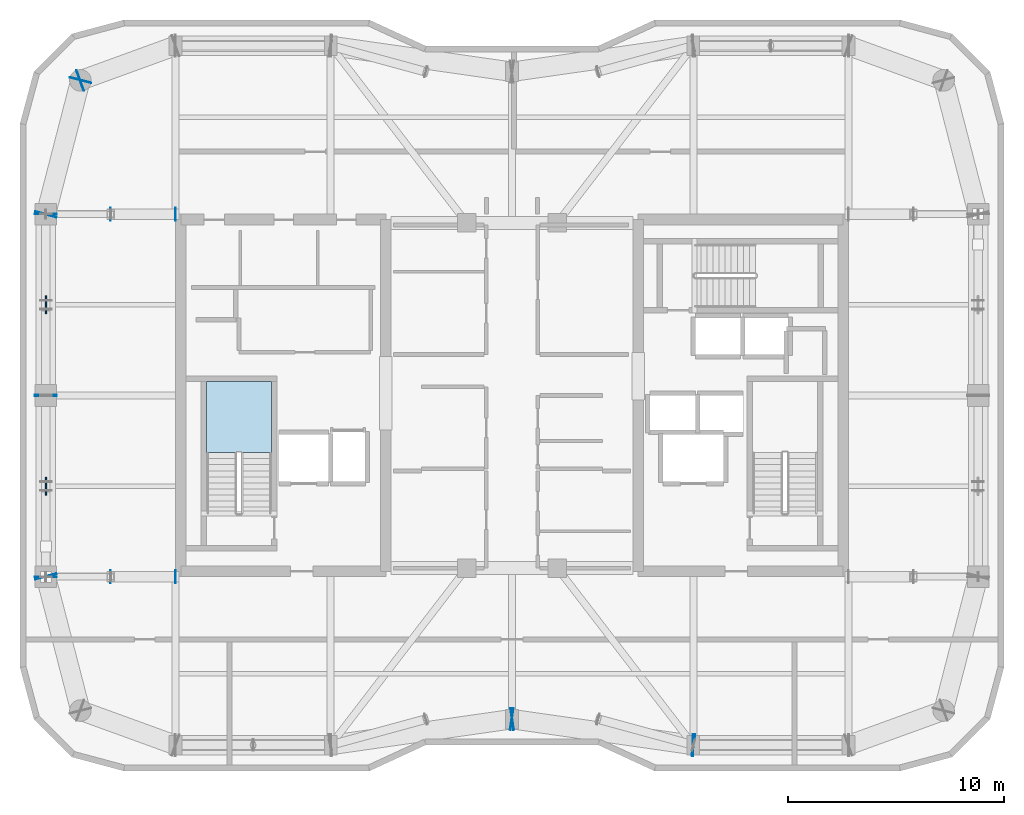
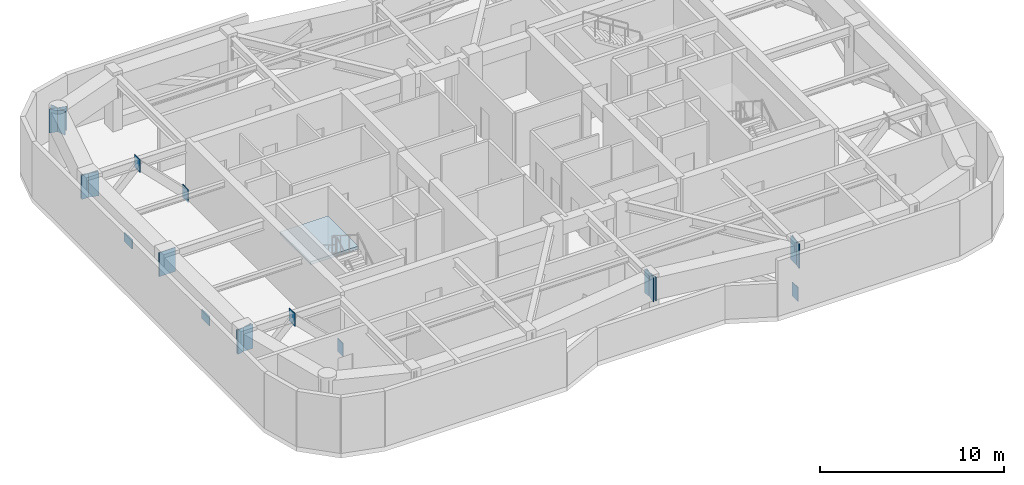
# One storey, part 3 of 11: 19 plates, 1 slab, 1 element without a shape of its own.
"""IFC4 building model written with IfcOpenShell, lengths in metres."""

from ifc_helpers import new_model, si_unit, direction, frame, origin, origin_2d, place, context, subcontext, project, spatial, polyline, rectangle, outline, extrude, material, layer, layer_set, type_object, element, aggregate, save


model = new_model("IFC4")

# Units and contexts
model_context = context("Model", 3, precision=1e-05, world=origin(), true_north=direction((0.0, 1.0)))
body_context = subcontext(model_context, "Body", "Model", "MODEL_VIEW")
ifc_project = project(units=[si_unit("LENGTHUNIT", "METRE"), si_unit("AREAUNIT", "SQUARE_METRE"), si_unit("VOLUMEUNIT", "CUBIC_METRE"), si_unit("PLANEANGLEUNIT", "RADIAN"), si_unit("MASSUNIT", "GRAM", prefix="KILO")], contexts=[model_context])

# Site, building, storey
site_placement = place(None, origin())
site = spatial("IfcSite", under=ifc_project, at=site_placement, CompositionType="ELEMENT")
building_placement = place(site_placement, origin())
building = spatial("IfcBuilding", under=site, at=building_placement, Name="Kiyonajd Concourse Tower", CompositionType="ELEMENT")
storey_placement = place(building_placement, frame((0.0, 0.0, 282.300048828125)))
storey = spatial("IfcBuildingStorey", under=building, at=storey_placement, Name="L71", CompositionType="ELEMENT", Elevation=282.300048828125)

# Plates
ifc_material_1 = material(Name="Steel ASTM A572 Grade 50", Category="steel")
ifc_layer_1 = layer(ifc_material_1, 0.031982421875)
ifc_layer_set_1 = layer_set([ifc_layer_1], Name="Steel ASTM A572 Grade 50")
plate_type_1 = type_object("IfcPlateType", Name="PL-CAP-540", PredefinedType="USERDEFINED", material=ifc_layer_set_1)
for number, where, z_axis, x_axis, name in (
    (1, (32.40771484375, 27.60009765625, -0.13330078125), (0.0, 0.0, 1.0), (1.0, 0.0, 0.0), "L71 Outrigger End Cap Plate 01"),
    (2, (29.392333984375, 27.60009765625, 2.912109375), (0.0, 0.0, 1.0), (-1.0, 0.0, 0.0), "L71 Outrigger Far End Cap Plate 01"),
    (3, (32.40771484375, 44.39990234375, -0.13330078125), (0.0, 0.0, 1.0), (1.0, 0.0, 0.0), "L71 Outrigger End Cap Plate 03"),
    (4, (29.392333984375, 44.39990234375, 2.912109375), (0.0, 0.0, 1.0), (-1.0, 0.0, 0.0), "L71 Outrigger Far End Cap Plate 03"),
):
    element("IfcPlate", number, at=place(storey_placement, frame(where, z_axis=z_axis, x_axis=x_axis)), inside=storey, type_object=plate_type_1, Name=name, ObjectType="CAP PLATE", PredefinedType="USERDEFINED", context=body_context, shape_type="SweptSolid", body=[
        extrude(rectangle(XDim=0.035888671875, YDim=0.6201171875, at=origin_2d()), origin(), (0.0, 0.0, 1.0), 0.85107421875),
    ])
plate_placement = place(storey_placement, frame((56.388916015625, 19.800048828125, -0.169921875), z_axis=(0.0, 0.0, 1.0), x_axis=(-1.0, 0.0, 0.0)))
element("IfcPlate", 5, at=plate_placement, inside=storey, type_object=plate_type_1, Name="L71 Belt Chord Cap Plate", ObjectType="CAP PLATE", PredefinedType="USERDEFINED", context=body_context, shape_type="SweptSolid", body=[
    extrude(rectangle(XDim=0.035888671875, YDim=0.6201171875, at=origin_2d()), origin(), (0.0, 0.0, 1.0), 0.93994140625),
])
for number, where, z_axis, x_axis, name in (
    (6, (26.397216796875, 27.610595703125, 2.15966796875), (0.0, 0.0, 1.0), (-0.249873048837, 0.968278606324, 0.0), "L71 Welded Box Girder End Cap"),
    (7, (48.010986328125, 21.001708984375, 2.15966796875), (0.0, 0.0, 1.0), (0.989949746297, 0.141419587774, 0.0), "L71 Welded Box Girder End Cap"),
    (8, (47.989013671875, 21.001708984375, 2.15966796875), (0.0, 0.0, 1.0), (-0.989949746297, 0.141419587774, 0.0), "L71 Welded Box Girder End Cap"),
    (9, (56.410888671875, 19.79833984375, 2.15966796875), (0.0, 0.0, 1.0), (0.989949746297, -0.141419587774, 0.0), "L71 Welded Box Girder End Cap"),
    (10, (56.388916015625, 19.800048828125, 2.15966796875), (0.0, 0.0, 1.0), (-1.0, 0.0, 0.0), "L71 Welded Box Girder End Cap"),
    (11, (27.98974609375, 50.59619140625, 2.15966796875), (0.0, 0.0, 1.0), (-0.939811951086, -0.341692107891, 0.0), "L71 Welded Box Girder End Cap"),
    (12, (28.002685546875, 50.610595703125, 2.15966796875), (0.0, 0.0, 1.0), (0.249873048837, 0.968278606324, 0.0), "L71 Welded Box Girder End Cap"),
    (13, (26.397216796875, 44.389404296875, 2.15966796875), (0.0, 0.0, 1.0), (-0.249873048837, -0.968278606324, 0.0), "L71 Welded Box Girder End Cap"),
    (14, (26.39990234375, 44.410888671875, 2.15966796875), (0.0, 0.0, 1.0), (0.0, 1.0, 0.0), "L71 Welded Box Girder End Cap"),
    (15, (26.39990234375, 35.989013671875, 2.15966796875), (0.0, 0.0, 1.0), (0.0, -1.0, 0.0), "L71 Welded Box Girder End Cap"),
    (16, (26.39990234375, 36.010986328125, 2.15966796875), (0.0, 0.0, 1.0), (0.0, 1.0, 0.0), "L71 Welded Box Girder End Cap"),
    (17, (26.39990234375, 27.589111328125, 2.15966796875), (0.0, 0.0, 1.0), (0.0, -1.0, 0.0), "L71 Welded Box Girder End Cap"),
):
    element("IfcPlate", number, at=place(storey_placement, frame(where, z_axis=z_axis, x_axis=x_axis)), inside=storey, type_object=plate_type_1, Name=name, ObjectType="CAP PLATE", PredefinedType="USERDEFINED", context=body_context, shape_type="SweptSolid", body=[
        extrude(rectangle(XDim=0.035888671875, YDim=1.02001953125, at=origin_2d()), origin(), (0.0, 0.0, 1.0), 1.590087890625),
    ])
ifc_layer_2 = layer(ifc_material_1, 0.06005859375)
ifc_layer_set_2 = layer_set([ifc_layer_2], Name="Steel ASTM A572 Grade 50")
plate_type_2 = type_object("IfcPlateType", Name="PL-XNODE-60", PredefinedType="USERDEFINED", material=ifc_layer_set_2)
for number, where, z_axis, x_axis, name in (
    (18, (26.39990234375, 31.800048828125, 1.514892578125), (0.0, 0.0, 1.0), (1.0, 0.0, 0.0), "L71 Belt Truss X Brace Crossing Gusset Plate XN1 W1"),
    (19, (26.39990234375, 40.199951171875, 1.514892578125), (0.0, 0.0, 1.0), (1.0, 0.0, 0.0), "L71 Belt Truss X Brace Crossing Gusset Plate XN1 W2"),
):
    element("IfcPlate", number, at=place(storey_placement, frame(where, z_axis=z_axis, x_axis=x_axis)), inside=storey, type_object=plate_type_2, Name=name, ObjectType="GUSSET PLATE", PredefinedType="USERDEFINED", context=body_context, shape_type="SweptSolid", body=[
        extrude(rectangle(XDim=0.06005859375, YDim=0.840087890625, at=origin_2d()), origin(), (0.0, 0.0, 1.0), 0.60009765625),
    ])

# Stair, slab
ifc_material_2 = material(Name="Concrete C40/50", Category="concrete")
stair_type = type_object("IfcStairType", Name="ST-DLG-22R", PredefinedType="HALF_TURN_STAIR", material=ifc_material_2)
stair_placement = place(storey_placement, origin())
stair = element("IfcStair", 20, at=stair_placement, inside=storey, type_object=stair_type, Name="L71 Protected Exit Stair ST1", PredefinedType="HALF_TURN_STAIR")
ifc_layer_3 = layer(ifc_material_2, 0.199951171875)
ifc_layer_set_3 = layer_set([ifc_layer_3], Name="Concrete C40/50")
slab_type = type_object("IfcSlabType", Name="SL-LND-200", PredefinedType="LANDING", material=ifc_layer_set_3)
slab_placement = place(storey_placement, frame((0.0, 0.0, 1.75)))
slab = element("IfcSlab", 21, at=slab_placement, type_object=slab_type, Name="ST1 landing 1", PredefinedType="LANDING", context=body_context, shape_type="SweptSolid", body=[
    extrude(outline(polyline([(36.85009765625, 33.35009765625), (36.85009765625, 36.64990234375), (33.85009765625, 36.64990234375), (33.85009765625, 33.35009765625), (36.85009765625, 33.35009765625)])), origin(), (0.0, 0.0, 1.0), 0.199951171875),
])
aggregate(stair, [slab])

save(model, "model.ifc")
